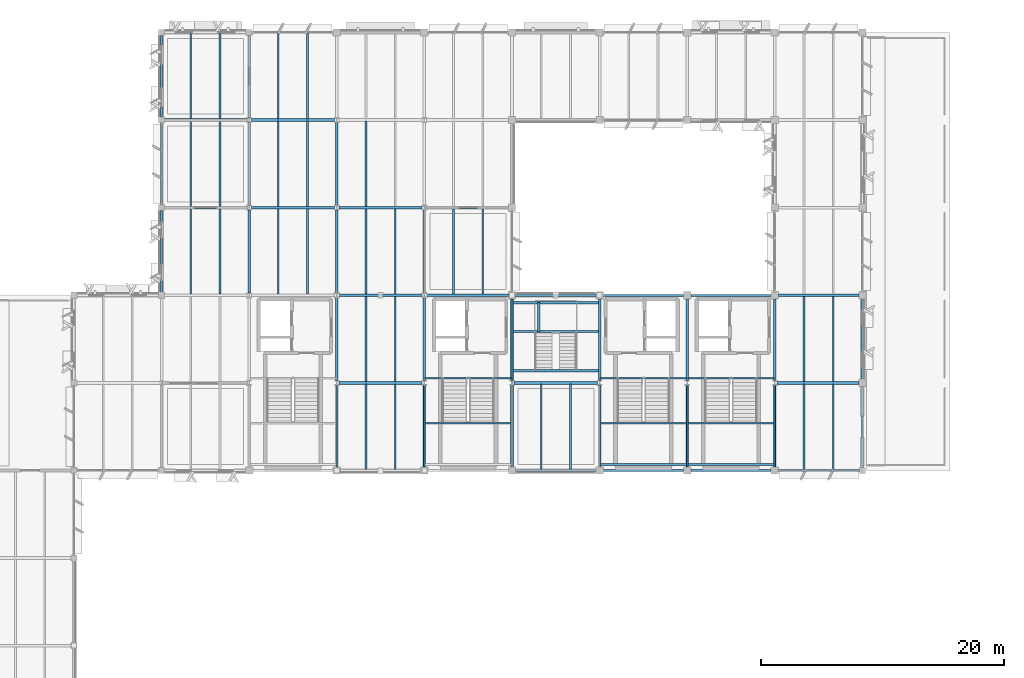
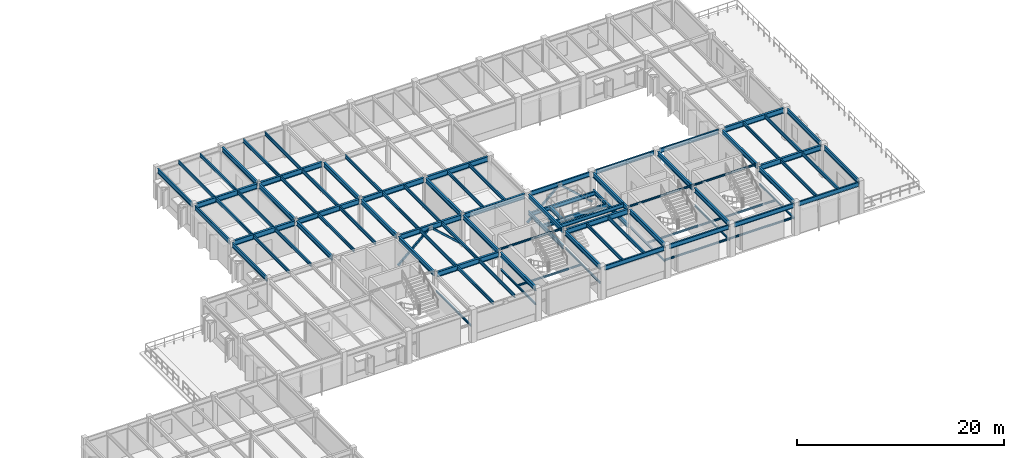
# One storey, part 6 of 35: 88 beams, 4 members.
"""IFC4 building model written with IfcOpenShell, lengths in metres."""

from ifc_helpers import new_model, si_unit, direction, frame, origin, origin_2d, place, context, subcontext, project, spatial, hollow_rectangle, i_section, extrude, material, material_profile, profile_set, type_object, element, save


model = new_model("IFC4")

# Units and contexts
model_context = context("Model", 3, precision=1e-05, world=origin(), true_north=direction((0.0, 1.0)))
body_context = subcontext(model_context, "Body", "Model", "MODEL_VIEW")
ifc_project = project(units=[si_unit("LENGTHUNIT", "METRE"), si_unit("AREAUNIT", "SQUARE_METRE"), si_unit("VOLUMEUNIT", "CUBIC_METRE"), si_unit("PLANEANGLEUNIT", "RADIAN"), si_unit("MASSUNIT", "GRAM", prefix="KILO")], contexts=[model_context])

# Site, building, storey
site_placement = place(None, origin())
site = spatial("IfcSite", under=ifc_project, at=site_placement, CompositionType="ELEMENT")
building_placement = place(site_placement, origin())
building = spatial("IfcBuilding", under=site, at=building_placement, Name="Sillqori Civic Hall", CompositionType="ELEMENT")
storey_placement = place(building_placement, frame((0.0, 0.0, 18.0)))
storey = spatial("IfcBuildingStorey", under=building, at=storey_placement, Name="L05", CompositionType="ELEMENT", Elevation=18.0)

# Beams
ifc_material_1 = material(Name="Steel ASTM A992", Category="steel")
ifc_material_profile_1 = material_profile(ifc_material_1, i_section(OverallWidth=0.19091796875, OverallDepth=0.4599609375, WebThickness=0.010009765625, FlangeThickness=0.01611328125, FilletRadius=0.012939453125, at=origin_2d()), Name="W18X55")
ifc_profile_set_1 = profile_set([ifc_material_profile_1], Name="Steel ASTM A992")
beam_type_1 = type_object("IfcBeamType", Name="BM-W18X55", PredefinedType="BEAM", material=ifc_profile_set_1)
for number, where, z_axis, x_axis, name in (
    (1, (72.0, 86.577880859375, 1.52490234375), (0.0, 1.0, 0.0), (-1.0, 0.0, 0.0), "Mayoral Courtyard Stair L05-L06 landing stringer girder W"),
    (2, (79.199951171875, 86.577880859375, 1.52490234375), (0.0, 1.0, 0.0), (-1.0, 0.0, 0.0), "Mayoral Courtyard Stair L05-L06 landing stringer girder E"),
):
    element("IfcBeam", number, at=place(storey_placement, frame(where, z_axis=z_axis, x_axis=x_axis)), inside=storey, type_object=beam_type_1, Name=name, PredefinedType="BEAM", context=body_context, shape_type="SweptSolid", body=[
        extrude(i_section(OverallWidth=0.19091796875, OverallDepth=0.4599609375, WebThickness=0.010009765625, FlangeThickness=0.01611328125, FilletRadius=0.012939453125, at=origin_2d()), origin(), (0.0, 0.0, 1.0), 6.72802734375),
    ])
for number, where, z_axis, x_axis, name in (
    (3, (72.0400390625, 90.6298828125, 1.52490234375), (1.0, 0.0, 0.0), (0.0, 1.0, 0.0), "Mayoral Courtyard Stair L05-L06 half-landing cross trimmer 1"),
    (4, (72.0400390625, 92.97998046875, 1.52490234375), (1.0, 0.0, 0.0), (0.0, 1.0, 0.0), "Mayoral Courtyard Stair L05-L06 half-landing cross trimmer 2"),
):
    element("IfcBeam", number, at=place(storey_placement, frame(where, z_axis=z_axis, x_axis=x_axis)), inside=storey, type_object=beam_type_1, Name=name, PredefinedType="BEAM", context=body_context, shape_type="SweptSolid", body=[
        extrude(i_section(OverallWidth=0.19091796875, OverallDepth=0.4599609375, WebThickness=0.010009765625, FlangeThickness=0.01611328125, FilletRadius=0.012939453125, at=origin_2d()), origin(), (0.0, 0.0, 1.0), 7.119873046875),
    ])
beam_1_placement = place(storey_placement, frame((74.199951171875, 90.60009765625, 1.52490234375), z_axis=(0.0, 1.0, 0.0), x_axis=(-1.0, 0.0, 0.0)))
element("IfcBeam", 5, at=beam_1_placement, inside=storey, type_object=beam_type_1, Name="Mayoral Courtyard Stair L05-L06 half-landing spine rib", PredefinedType="BEAM", context=body_context, shape_type="SweptSolid", body=[
    extrude(i_section(OverallWidth=0.19091796875, OverallDepth=0.4599609375, WebThickness=0.010009765625, FlangeThickness=0.01611328125, FilletRadius=0.012939453125, at=origin_2d()), origin(), (0.0, 0.0, 1.0), 2.409912109375),
])
beam_2_placement = place(storey_placement, frame((72.0400390625, 87.39990234375, 3.4951171875), z_axis=(1.0, 0.0, 0.0), x_axis=(0.0, 1.0, 0.0)))
element("IfcBeam", 6, at=beam_2_placement, inside=storey, type_object=beam_type_1, Name="Mayoral Courtyard Stair L05-L06 upper arrival trimmer beam", PredefinedType="BEAM", context=body_context, shape_type="SweptSolid", body=[
    extrude(i_section(OverallWidth=0.19091796875, OverallDepth=0.4599609375, WebThickness=0.010009765625, FlangeThickness=0.01611328125, FilletRadius=0.012939453125, at=origin_2d()), origin(), (0.0, 0.0, 1.0), 7.119873046875),
])
ifc_material_profile_2 = material_profile(ifc_material_1, i_section(OverallWidth=0.2099609375, OverallDepth=0.532958984375, WebThickness=0.01025390625, FlangeThickness=0.015625, FilletRadius=0.013916015625, at=origin_2d()), Name="W21X62")
ifc_profile_set_2 = profile_set([ifc_material_profile_2], Name="Steel ASTM A992")
beam_type_2 = type_object("IfcBeamType", Name="BM-W21X62", PredefinedType="BEAM", material=ifc_profile_set_2)
beam_3_placement = place(storey_placement, frame((50.39990234375, 93.778076171875, 3.43359375), z_axis=(0.0, 1.0, 0.0), x_axis=(-1.0, 0.0, 0.0)))
element("IfcBeam", 7, at=beam_3_placement, inside=storey, type_object=beam_type_2, Name="L05 girder Y 7-13", PredefinedType="BEAM", context=body_context, shape_type="SweptSolid", body=[
    extrude(i_section(OverallWidth=0.2099609375, OverallDepth=0.532958984375, WebThickness=0.01025390625, FlangeThickness=0.015625, FilletRadius=0.013916015625, at=origin_2d()), origin(), (0.0, 0.0, 1.0), 6.847412109375),
])
beam_4_placement = place(storey_placement, frame((50.39990234375, 100.974609375, 3.43359375), z_axis=(0.0, 1.0, 0.0), x_axis=(-1.0, 0.0, 0.0)))
element("IfcBeam", 8, at=beam_4_placement, inside=storey, type_object=beam_type_2, Name="L05 girder Y 7-14", PredefinedType="BEAM", context=body_context, shape_type="SweptSolid", body=[
    extrude(i_section(OverallWidth=0.2099609375, OverallDepth=0.532958984375, WebThickness=0.01025390625, FlangeThickness=0.015625, FilletRadius=0.013916015625, at=origin_2d()), origin(), (0.0, 0.0, 1.0), 6.850830078125),
])
beam_5_placement = place(storey_placement, frame((50.39990234375, 108.174560546875, 3.43359375), z_axis=(0.0, 1.0, 0.0), x_axis=(-1.0, 0.0, 0.0)))
element("IfcBeam", 9, at=beam_5_placement, inside=storey, type_object=beam_type_2, Name="L05 girder Y 7-15", PredefinedType="BEAM", context=body_context, shape_type="SweptSolid", body=[
    extrude(i_section(OverallWidth=0.2099609375, OverallDepth=0.532958984375, WebThickness=0.01025390625, FlangeThickness=0.015625, FilletRadius=0.013916015625, at=origin_2d()), origin(), (0.0, 0.0, 1.0), 6.781494140625),
])
beam_6_placement = place(storey_placement, frame((57.60009765625, 86.577880859375, 3.45361328125), z_axis=(0.0, 1.0, 0.0), x_axis=(-1.0, 0.0, 0.0)))
element("IfcBeam", 10, at=beam_6_placement, inside=storey, type_object=beam_type_2, Name="L05 girder Y 8-12", PredefinedType="BEAM", context=body_context, shape_type="SweptSolid", body=[
    extrude(i_section(OverallWidth=0.2099609375, OverallDepth=0.532958984375, WebThickness=0.01025390625, FlangeThickness=0.015625, FilletRadius=0.013916015625, at=origin_2d()), origin(), (0.0, 0.0, 1.0), 6.84423828125),
])
for number, where, z_axis, x_axis, name in (
    (11, (57.60009765625, 93.778076171875, 3.45361328125), (0.0, 1.0, 0.0), (-1.0, 0.0, 0.0), "L05 girder Y 8-13"),
    (12, (57.60009765625, 100.97802734375, 3.45361328125), (0.0, 1.0, 0.0), (-1.0, 0.0, 0.0), "L05 girder Y 8-14"),
):
    element("IfcBeam", number, at=place(storey_placement, frame(where, z_axis=z_axis, x_axis=x_axis)), inside=storey, type_object=beam_type_2, Name=name, PredefinedType="BEAM", context=body_context, shape_type="SweptSolid", body=[
        extrude(i_section(OverallWidth=0.2099609375, OverallDepth=0.532958984375, WebThickness=0.01025390625, FlangeThickness=0.015625, FilletRadius=0.013916015625, at=origin_2d()), origin(), (0.0, 0.0, 1.0), 6.843994140625),
    ])
beam_7_placement = place(storey_placement, frame((64.800048828125, 79.493896484375, 3.45361328125), z_axis=(0.0, 1.0, 0.0), x_axis=(-1.0, 0.0, 0.0)))
element("IfcBeam", 13, at=beam_7_placement, inside=storey, type_object=beam_type_2, Name="L05 girder Y 9-11", PredefinedType="BEAM", context=body_context, shape_type="SweptSolid", body=[
    extrude(i_section(OverallWidth=0.2099609375, OverallDepth=0.532958984375, WebThickness=0.01025390625, FlangeThickness=0.015625, FilletRadius=0.013916015625, at=origin_2d()), origin(), (0.0, 0.0, 1.0), 6.72802734375),
])
beam_8_placement = place(storey_placement, frame((64.800048828125, 86.577880859375, 3.45361328125), z_axis=(0.0, 1.0, 0.0), x_axis=(-1.0, 0.0, 0.0)))
element("IfcBeam", 14, at=beam_8_placement, inside=storey, type_object=beam_type_2, Name="L05 girder Y 9-12", PredefinedType="BEAM", context=body_context, shape_type="SweptSolid", body=[
    extrude(i_section(OverallWidth=0.2099609375, OverallDepth=0.532958984375, WebThickness=0.01025390625, FlangeThickness=0.015625, FilletRadius=0.013916015625, at=origin_2d()), origin(), (0.0, 0.0, 1.0), 6.84423828125),
])
beam_9_placement = place(storey_placement, frame((64.800048828125, 93.778076171875, 3.45361328125), z_axis=(0.0, 1.0, 0.0), x_axis=(-1.0, 0.0, 0.0)))
element("IfcBeam", 15, at=beam_9_placement, inside=storey, type_object=beam_type_2, Name="L05 girder Y 9-13", PredefinedType="BEAM", context=body_context, shape_type="SweptSolid", body=[
    extrude(i_section(OverallWidth=0.2099609375, OverallDepth=0.532958984375, WebThickness=0.01025390625, FlangeThickness=0.015625, FilletRadius=0.013916015625, at=origin_2d()), origin(), (0.0, 0.0, 1.0), 6.843994140625),
])
for number, where, z_axis, x_axis, name in (
    (16, (72.0, 79.493896484375, 3.45361328125), (0.0, 1.0, 0.0), (-1.0, 0.0, 0.0), "L05 girder Y 10-11"),
    (17, (72.0, 86.577880859375, 3.45361328125), (0.0, 1.0, 0.0), (-1.0, 0.0, 0.0), "L05 girder Y 10-12"),
    (18, (79.199951171875, 79.493896484375, 3.45361328125), (0.0, 1.0, 0.0), (-1.0, 0.0, 0.0), "L05 girder Y 11-11"),
    (19, (79.199951171875, 86.577880859375, 3.45361328125), (0.0, 1.0, 0.0), (-1.0, 0.0, 0.0), "L05 girder Y 11-12"),
    (20, (86.39990234375, 79.493896484375, 3.45361328125), (0.0, 1.0, 0.0), (-1.0, 0.0, 0.0), "L05 girder Y 12-11"),
    (21, (86.39990234375, 86.577880859375, 3.45361328125), (0.0, 1.0, 0.0), (-1.0, 0.0, 0.0), "L05 girder Y 12-12"),
    (22, (93.60009765625, 79.493896484375, 3.43359375), (0.0, 1.0, 0.0), (-1.0, 0.0, 0.0), "L05 girder Y 13-11"),
    (23, (93.60009765625, 86.577880859375, 3.45361328125), (0.0, 1.0, 0.0), (-1.0, 0.0, 0.0), "L05 girder Y 13-12"),
):
    element("IfcBeam", number, at=place(storey_placement, frame(where, z_axis=z_axis, x_axis=x_axis)), inside=storey, type_object=beam_type_2, Name=name, PredefinedType="BEAM", context=body_context, shape_type="SweptSolid", body=[
        extrude(i_section(OverallWidth=0.2099609375, OverallDepth=0.532958984375, WebThickness=0.01025390625, FlangeThickness=0.015625, FilletRadius=0.013916015625, at=origin_2d()), origin(), (0.0, 0.0, 1.0), 6.72802734375),
    ])
ifc_material_profile_3 = material_profile(ifc_material_1, i_section(OverallWidth=0.22802734375, OverallDepth=0.60205078125, WebThickness=0.010498046875, FlangeThickness=0.014892578125, FilletRadius=0.014892578125, at=origin_2d()), Name="W24X68")
ifc_profile_set_3 = profile_set([ifc_material_profile_3], Name="Steel ASTM A992")
beam_type_3 = type_object("IfcBeamType", Name="BM-W24X68", PredefinedType="BEAM", material=ifc_profile_set_3)
for number, where, z_axis, x_axis, name in (
    (24, (43.444091796875, 100.800048828125, 3.39892578125), (1.0, 0.0, 0.0), (0.0, 1.0, 0.0), "L05 girder X 6-14"),
    (25, (43.444091796875, 108.0, 3.39892578125), (1.0, 0.0, 0.0), (0.0, 1.0, 0.0), "L05 girder X 6-15"),
):
    element("IfcBeam", number, at=place(storey_placement, frame(where, z_axis=z_axis, x_axis=x_axis)), inside=storey, type_object=beam_type_3, Name=name, PredefinedType="BEAM", context=body_context, shape_type="SweptSolid", body=[
        extrude(i_section(OverallWidth=0.22802734375, OverallDepth=0.60205078125, WebThickness=0.010498046875, FlangeThickness=0.014892578125, FilletRadius=0.014892578125, at=origin_2d()), origin(), (0.0, 0.0, 1.0), 6.7763671875),
    ])
for number, where, z_axis, x_axis, name in (
    (26, (50.57958984375, 100.800048828125, 3.4189453125), (1.0, 0.0, 0.0), (0.0, 1.0, 0.0), "L05 girder X 7-14"),
    (27, (50.57958984375, 108.0, 3.4189453125), (1.0, 0.0, 0.0), (0.0, 1.0, 0.0), "L05 girder X 7-15"),
):
    element("IfcBeam", number, at=place(storey_placement, frame(where, z_axis=z_axis, x_axis=x_axis)), inside=storey, type_object=beam_type_3, Name=name, PredefinedType="BEAM", context=body_context, shape_type="SweptSolid", body=[
        extrude(i_section(OverallWidth=0.22802734375, OverallDepth=0.60205078125, WebThickness=0.010498046875, FlangeThickness=0.014892578125, FilletRadius=0.014892578125, at=origin_2d()), origin(), (0.0, 0.0, 1.0), 6.83984375),
    ])
for number, where, z_axis, x_axis, name in (
    (28, (57.780517578125, 86.39990234375, 3.4189453125), (1.0, 0.0, 0.0), (0.0, 1.0, 0.0), "L05 girder X 8-12"),
    (29, (57.780517578125, 93.60009765625, 3.4189453125), (1.0, 0.0, 0.0), (0.0, 1.0, 0.0), "L05 girder X 8-13"),
    (30, (57.780517578125, 100.800048828125, 3.4189453125), (1.0, 0.0, 0.0), (0.0, 1.0, 0.0), "L05 girder X 8-14"),
):
    element("IfcBeam", number, at=place(storey_placement, frame(where, z_axis=z_axis, x_axis=x_axis)), inside=storey, type_object=beam_type_3, Name=name, PredefinedType="BEAM", context=body_context, shape_type="SweptSolid", body=[
        extrude(i_section(OverallWidth=0.22802734375, OverallDepth=0.60205078125, WebThickness=0.010498046875, FlangeThickness=0.014892578125, FilletRadius=0.014892578125, at=origin_2d()), origin(), (0.0, 0.0, 1.0), 6.8388671875),
    ])
for number, where, z_axis, x_axis, name in (
    (31, (64.98046875, 93.60009765625, 3.4189453125), (1.0, 0.0, 0.0), (0.0, 1.0, 0.0), "L05 girder X 9-13"),
    (32, (64.98046875, 100.800048828125, 3.4189453125), (1.0, 0.0, 0.0), (0.0, 1.0, 0.0), "L05 girder X 9-14"),
):
    element("IfcBeam", number, at=place(storey_placement, frame(where, z_axis=z_axis, x_axis=x_axis)), inside=storey, type_object=beam_type_3, Name=name, PredefinedType="BEAM", context=body_context, shape_type="SweptSolid", body=[
        extrude(i_section(OverallWidth=0.22802734375, OverallDepth=0.60205078125, WebThickness=0.010498046875, FlangeThickness=0.014892578125, FilletRadius=0.014892578125, at=origin_2d()), origin(), (0.0, 0.0, 1.0), 6.7255859375),
    ])
beam_10_placement = place(storey_placement, frame((72.180419921875, 86.39990234375, 3.4189453125), z_axis=(1.0, 0.0, 0.0), x_axis=(0.0, 1.0, 0.0)))
element("IfcBeam", 33, at=beam_10_placement, inside=storey, type_object=beam_type_3, Name="L05 girder X 10-12", PredefinedType="BEAM", context=body_context, shape_type="SweptSolid", body=[
    extrude(i_section(OverallWidth=0.22802734375, OverallDepth=0.60205078125, WebThickness=0.010498046875, FlangeThickness=0.014892578125, FilletRadius=0.014892578125, at=origin_2d()), origin(), (0.0, 0.0, 1.0), 6.839111328125),
])
beam_11_placement = place(storey_placement, frame((93.780517578125, 86.39990234375, 3.39892578125), z_axis=(1.0, 0.0, 0.0), x_axis=(0.0, 1.0, 0.0)))
element("IfcBeam", 34, at=beam_11_placement, inside=storey, type_object=beam_type_3, Name="L05 girder X 13-12", PredefinedType="BEAM", context=body_context, shape_type="SweptSolid", body=[
    extrude(i_section(OverallWidth=0.22802734375, OverallDepth=0.60205078125, WebThickness=0.010498046875, FlangeThickness=0.014892578125, FilletRadius=0.014892578125, at=origin_2d()), origin(), (0.0, 0.0, 1.0), 6.7255859375),
])
beam_12_placement = place(storey_placement, frame((93.89404296875, 93.60009765625, 3.4189453125), z_axis=(1.0, 0.0, 0.0), x_axis=(0.0, 1.0, 0.0)))
element("IfcBeam", 35, at=beam_12_placement, inside=storey, type_object=beam_type_3, Name="L05 girder X 13-13", PredefinedType="BEAM", context=body_context, shape_type="SweptSolid", body=[
    extrude(i_section(OverallWidth=0.22802734375, OverallDepth=0.60205078125, WebThickness=0.010498046875, FlangeThickness=0.014892578125, FilletRadius=0.014892578125, at=origin_2d()), origin(), (0.0, 0.0, 1.0), 6.612060546875),
])

# Members
ifc_material_2 = material(Name="Steel ASTM A500 Grade C", Category="steel")
ifc_material_profile_4 = material_profile(ifc_material_2, hollow_rectangle(XDim=0.199951171875, YDim=0.199951171875, WallThickness=0.010009765625, InnerFilletRadius=0.010009765625, OuterFilletRadius=0.02001953125, at=origin_2d()), Name="HSS200X200X10")
ifc_profile_set_4 = profile_set([ifc_material_profile_4], Name="Steel ASTM A500 Grade C")
member_type = type_object("IfcMemberType", Name="BR-HSS200", PredefinedType="BRACE", material=ifc_profile_set_4)
member_1_placement = place(storey_placement, frame((57.60009765625, 93.60009765625, 0.14990234375), z_axis=(0.742254478498, 0.0, 0.67011811582), x_axis=(0.0, 1.0, 0.0)))
element("IfcMember", 36, at=member_1_placement, inside=storey, type_object=member_type, Name="L05 seismic chevron brace L X13-8", PredefinedType="BRACE", context=body_context, shape_type="SweptSolid", body=[
    extrude(hollow_rectangle(XDim=0.199951171875, YDim=0.199951171875, WallThickness=0.010009765625, InnerFilletRadius=0.010009765625, OuterFilletRadius=0.02001953125, at=origin_2d()), origin(), (0.0, 0.0, 1.0), 4.849853515625),
])
for number, where, z_axis, x_axis, name in (
    (37, (64.800048828125, 93.60009765625, 0.14990234375), (-0.742277082557, 0.0, 0.670093077648), (0.0, -1.0, 0.0), "L05 seismic chevron brace R X13-8"),
    (38, (72.0, 93.60009765625, 0.14990234375), (0.742277082557, 0.0, 0.670093077648), (0.0, 1.0, 0.0), "L05 seismic chevron brace L X13-10"),
):
    element("IfcMember", number, at=place(storey_placement, frame(where, z_axis=z_axis, x_axis=x_axis)), inside=storey, type_object=member_type, Name=name, PredefinedType="BRACE", context=body_context, shape_type="SweptSolid", body=[
        extrude(hollow_rectangle(XDim=0.199951171875, YDim=0.199951171875, WallThickness=0.010009765625, InnerFilletRadius=0.010009765625, OuterFilletRadius=0.02001953125, at=origin_2d()), origin(), (0.0, 0.0, 1.0), 4.85009765625),
    ])
member_2_placement = place(storey_placement, frame((79.199951171875, 93.60009765625, 0.14990234375), z_axis=(-0.742254478498, 0.0, 0.67011811582), x_axis=(0.0, -1.0, 0.0)))
element("IfcMember", 39, at=member_2_placement, inside=storey, type_object=member_type, Name="L05 seismic chevron brace R X13-10", PredefinedType="BRACE", context=body_context, shape_type="SweptSolid", body=[
    extrude(hollow_rectangle(XDim=0.199951171875, YDim=0.199951171875, WallThickness=0.010009765625, InnerFilletRadius=0.010009765625, OuterFilletRadius=0.02001953125, at=origin_2d()), origin(), (0.0, 0.0, 1.0), 4.849853515625),
])

# Beams
ifc_material_profile_5 = material_profile(ifc_material_1, i_section(OverallWidth=0.139892578125, OverallDepth=0.39892578125, WebThickness=0.00634765625, FlangeThickness=0.0087890625, FilletRadius=0.011962890625, at=origin_2d()), Name="W16X26")
ifc_profile_set_5 = profile_set([ifc_material_profile_5], Name="Steel ASTM A992")
beam_type_4 = type_object("IfcBeamType", Name="JS-W16X26", PredefinedType="JOIST", material=ifc_profile_set_5)
for number, where, z_axis, x_axis, name in (
    (40, (45.60009765625, 93.695068359375, 3.50048828125), (0.0, 1.0, 0.0), (-1.0, 0.0, 0.0), "L05 composite joist 6-13.1"),
    (41, (48.0, 93.695068359375, 3.50048828125), (0.0, 1.0, 0.0), (-1.0, 0.0, 0.0), "L05 composite joist 6-13.2"),
    (42, (45.60009765625, 100.89501953125, 3.50048828125), (0.0, 1.0, 0.0), (-1.0, 0.0, 0.0), "L05 composite joist 6-14.1"),
    (43, (48.0, 100.89501953125, 3.50048828125), (0.0, 1.0, 0.0), (-1.0, 0.0, 0.0), "L05 composite joist 6-14.2"),
    (44, (45.60009765625, 108.094970703125, 3.50048828125), (0.0, 1.0, 0.0), (-1.0, 0.0, 0.0), "L05 composite joist 6-15.1"),
    (45, (48.0, 108.094970703125, 3.50048828125), (0.0, 1.0, 0.0), (-1.0, 0.0, 0.0), "L05 composite joist 6-15.2"),
    (46, (52.800048828125, 93.695068359375, 3.5205078125), (0.0, 1.0, 0.0), (-1.0, 0.0, 0.0), "L05 composite joist 7-13.1"),
    (47, (55.199951171875, 93.695068359375, 3.5205078125), (0.0, 1.0, 0.0), (-1.0, 0.0, 0.0), "L05 composite joist 7-13.2"),
    (48, (52.800048828125, 100.89501953125, 3.5205078125), (0.0, 1.0, 0.0), (-1.0, 0.0, 0.0), "L05 composite joist 7-14.1"),
    (49, (55.199951171875, 100.89501953125, 3.5205078125), (0.0, 1.0, 0.0), (-1.0, 0.0, 0.0), "L05 composite joist 7-14.2"),
    (50, (52.800048828125, 108.094970703125, 3.5205078125), (0.0, 1.0, 0.0), (-1.0, 0.0, 0.0), "L05 composite joist 7-15.1"),
    (51, (55.199951171875, 108.094970703125, 3.5205078125), (0.0, 1.0, 0.0), (-1.0, 0.0, 0.0), "L05 composite joist 7-15.2"),
    (52, (60.0, 79.294921875, 3.5205078125), (0.0, 1.0, 0.0), (-1.0, 0.0, 0.0), "L05 composite joist 8-11.1"),
    (53, (62.39990234375, 79.294921875, 3.5205078125), (0.0, 1.0, 0.0), (-1.0, 0.0, 0.0), "L05 composite joist 8-11.2"),
):
    element("IfcBeam", number, at=place(storey_placement, frame(where, z_axis=z_axis, x_axis=x_axis)), inside=storey, type_object=beam_type_4, Name=name, PredefinedType="JOIST", context=body_context, shape_type="SweptSolid", body=[
        extrude(i_section(OverallWidth=0.139892578125, OverallDepth=0.39892578125, WebThickness=0.00634765625, FlangeThickness=0.0087890625, FilletRadius=0.011962890625, at=origin_2d()), origin(), (0.0, 0.0, 1.0), 7.010009765625),
    ])
for number, where, z_axis, x_axis, name in (
    (54, (60.0, 86.4951171875, 3.5205078125), (0.0, 1.0, 0.0), (-1.0, 0.0, 0.0), "L05 composite joist 8-12.1"),
    (55, (62.39990234375, 86.4951171875, 3.5205078125), (0.0, 1.0, 0.0), (-1.0, 0.0, 0.0), "L05 composite joist 8-12.2"),
):
    element("IfcBeam", number, at=place(storey_placement, frame(where, z_axis=z_axis, x_axis=x_axis)), inside=storey, type_object=beam_type_4, Name=name, PredefinedType="JOIST", context=body_context, shape_type="SweptSolid", body=[
        extrude(i_section(OverallWidth=0.139892578125, OverallDepth=0.39892578125, WebThickness=0.00634765625, FlangeThickness=0.0087890625, FilletRadius=0.011962890625, at=origin_2d()), origin(), (0.0, 0.0, 1.0), 7.009765625),
    ])
for number, where, z_axis, x_axis, name in (
    (56, (60.0, 93.695068359375, 3.5205078125), (0.0, 1.0, 0.0), (-1.0, 0.0, 0.0), "L05 composite joist 8-13.1"),
    (57, (62.39990234375, 93.695068359375, 3.5205078125), (0.0, 1.0, 0.0), (-1.0, 0.0, 0.0), "L05 composite joist 8-13.2"),
    (58, (60.0, 100.89501953125, 3.5205078125), (0.0, 1.0, 0.0), (-1.0, 0.0, 0.0), "L05 composite joist 8-14.1"),
    (59, (67.199951171875, 93.695068359375, 3.5205078125), (0.0, 1.0, 0.0), (-1.0, 0.0, 0.0), "L05 composite joist 9-13.1"),
    (60, (69.60009765625, 93.695068359375, 3.5205078125), (0.0, 1.0, 0.0), (-1.0, 0.0, 0.0), "L05 composite joist 9-13.2"),
    (61, (74.39990234375, 79.294921875, 3.5205078125), (0.0, 1.0, 0.0), (-1.0, 0.0, 0.0), "L05 composite joist 10-11.1"),
    (62, (76.800048828125, 79.294921875, 3.5205078125), (0.0, 1.0, 0.0), (-1.0, 0.0, 0.0), "L05 composite joist 10-11.2"),
    (63, (96.0, 79.294921875, 3.50048828125), (0.0, 1.0, 0.0), (-1.0, 0.0, 0.0), "L05 composite joist 13-11.1"),
    (64, (98.39990234375, 79.294921875, 3.50048828125), (0.0, 1.0, 0.0), (-1.0, 0.0, 0.0), "L05 composite joist 13-11.2"),
):
    element("IfcBeam", number, at=place(storey_placement, frame(where, z_axis=z_axis, x_axis=x_axis)), inside=storey, type_object=beam_type_4, Name=name, PredefinedType="JOIST", context=body_context, shape_type="SweptSolid", body=[
        extrude(i_section(OverallWidth=0.139892578125, OverallDepth=0.39892578125, WebThickness=0.00634765625, FlangeThickness=0.0087890625, FilletRadius=0.011962890625, at=origin_2d()), origin(), (0.0, 0.0, 1.0), 7.010009765625),
    ])
for number, where, z_axis, x_axis, name in (
    (65, (96.0, 86.4951171875, 3.5205078125), (0.0, 1.0, 0.0), (-1.0, 0.0, 0.0), "L05 composite joist 13-12.1"),
    (66, (98.39990234375, 86.4951171875, 3.5205078125), (0.0, 1.0, 0.0), (-1.0, 0.0, 0.0), "L05 composite joist 13-12.2"),
):
    element("IfcBeam", number, at=place(storey_placement, frame(where, z_axis=z_axis, x_axis=x_axis)), inside=storey, type_object=beam_type_4, Name=name, PredefinedType="JOIST", context=body_context, shape_type="SweptSolid", body=[
        extrude(i_section(OverallWidth=0.139892578125, OverallDepth=0.39892578125, WebThickness=0.00634765625, FlangeThickness=0.0087890625, FilletRadius=0.011962890625, at=origin_2d()), origin(), (0.0, 0.0, 1.0), 7.009765625),
    ])
ifc_material_profile_6 = material_profile(ifc_material_1, i_section(OverallWidth=0.133056640625, OverallDepth=0.20703125, WebThickness=0.005859375, FlangeThickness=0.00830078125, FilletRadius=0.008056640625, at=origin_2d()), Name="W8X18")
ifc_profile_set_6 = profile_set([ifc_material_profile_6], Name="Steel ASTM A992")
beam_type_5 = type_object("IfcBeamType", Name="LN-W8X18", PredefinedType="LINTEL", material=ifc_profile_set_6)
for number, where, z_axis, x_axis, name in (
    (67, (57.60009765625, 79.493896484375, 1.632568359375), (0.0, 1.0, 0.0), (-1.0, 0.0, 0.0), "L05 grid 8 stair landing stringer 1"),
    (68, (64.800048828125, 79.493896484375, 1.632568359375), (0.0, 1.0, 0.0), (-1.0, 0.0, 0.0), "L05 grid 9 stair landing stringer 1"),
    (69, (72.0, 79.493896484375, 1.632568359375), (0.0, 1.0, 0.0), (-1.0, 0.0, 0.0), "L05 grid 10 stair landing stringer 1"),
):
    element("IfcBeam", number, at=place(storey_placement, frame(where, z_axis=z_axis, x_axis=x_axis)), inside=storey, type_object=beam_type_5, Name=name, PredefinedType="LINTEL", context=body_context, shape_type="SweptSolid", body=[
        extrude(i_section(OverallWidth=0.133056640625, OverallDepth=0.20703125, WebThickness=0.005859375, FlangeThickness=0.00830078125, FilletRadius=0.008056640625, at=origin_2d()), origin(), (0.0, 0.0, 1.0), 6.72802734375),
    ])
for number, where, z_axis, x_axis, name in (
    (70, (64.85009765625, 83.070068359375, 1.632568359375), (1.0, 0.0, 0.0), (0.0, 1.0, 0.0), "L05 C6 stair half-landing steel ledger 1.2"),
    (71, (64.85009765625, 86.77001953125, 3.62255859375), (1.0, 0.0, 0.0), (0.0, 1.0, 0.0), "L05 C6 stair upper arrival steel trimmer"),
):
    element("IfcBeam", number, at=place(storey_placement, frame(where, z_axis=z_axis, x_axis=x_axis)), inside=storey, type_object=beam_type_5, Name=name, PredefinedType="LINTEL", context=body_context, shape_type="SweptSolid", body=[
        extrude(i_section(OverallWidth=0.133056640625, OverallDepth=0.20703125, WebThickness=0.005859375, FlangeThickness=0.00830078125, FilletRadius=0.008056640625, at=origin_2d()), origin(), (0.0, 0.0, 1.0), 7.099853515625),
    ])
for number, where, z_axis, x_axis, name in (
    (72, (79.199951171875, 79.493896484375, 1.632568359375), (0.0, 1.0, 0.0), (-1.0, 0.0, 0.0), "L05 grid 11 stair landing stringer 1"),
    (73, (86.39990234375, 79.493896484375, 1.632568359375), (0.0, 1.0, 0.0), (-1.0, 0.0, 0.0), "L05 grid 12 stair landing stringer 1"),
):
    element("IfcBeam", number, at=place(storey_placement, frame(where, z_axis=z_axis, x_axis=x_axis)), inside=storey, type_object=beam_type_5, Name=name, PredefinedType="LINTEL", context=body_context, shape_type="SweptSolid", body=[
        extrude(i_section(OverallWidth=0.133056640625, OverallDepth=0.20703125, WebThickness=0.005859375, FlangeThickness=0.00830078125, FilletRadius=0.008056640625, at=origin_2d()), origin(), (0.0, 0.0, 1.0), 6.72802734375),
    ])
for number, where, z_axis, x_axis, name in (
    (74, (79.25, 79.695068359375, 1.632568359375), (1.0, 0.0, 0.0), (0.0, 1.0, 0.0), "L05 C7 stair half-landing steel ledger 1.1"),
    (75, (79.25, 83.070068359375, 1.632568359375), (1.0, 0.0, 0.0), (0.0, 1.0, 0.0), "L05 C7 stair half-landing steel ledger 1.2"),
    (76, (79.25, 86.77001953125, 3.62255859375), (1.0, 0.0, 0.0), (0.0, 1.0, 0.0), "L05 C7 stair upper arrival steel trimmer"),
):
    element("IfcBeam", number, at=place(storey_placement, frame(where, z_axis=z_axis, x_axis=x_axis)), inside=storey, type_object=beam_type_5, Name=name, PredefinedType="LINTEL", context=body_context, shape_type="SweptSolid", body=[
        extrude(i_section(OverallWidth=0.133056640625, OverallDepth=0.20703125, WebThickness=0.005859375, FlangeThickness=0.00830078125, FilletRadius=0.008056640625, at=origin_2d()), origin(), (0.0, 0.0, 1.0), 7.10009765625),
    ])
beam_13_placement = place(storey_placement, frame((93.60009765625, 79.493896484375, 1.632568359375), z_axis=(0.0, 1.0, 0.0), x_axis=(-1.0, 0.0, 0.0)))
element("IfcBeam", 77, at=beam_13_placement, inside=storey, type_object=beam_type_5, Name="L05 grid 13 stair landing stringer 1", PredefinedType="LINTEL", context=body_context, shape_type="SweptSolid", body=[
    extrude(i_section(OverallWidth=0.133056640625, OverallDepth=0.20703125, WebThickness=0.005859375, FlangeThickness=0.00830078125, FilletRadius=0.008056640625, at=origin_2d()), origin(), (0.0, 0.0, 1.0), 6.72802734375),
])
for number, where, z_axis, x_axis, name in (
    (78, (86.449951171875, 79.695068359375, 1.632568359375), (1.0, 0.0, 0.0), (0.0, 1.0, 0.0), "L05 C8 stair half-landing steel ledger 1.1"),
    (79, (86.449951171875, 83.070068359375, 1.632568359375), (1.0, 0.0, 0.0), (0.0, 1.0, 0.0), "L05 C8 stair half-landing steel ledger 1.2"),
    (80, (86.449951171875, 86.77001953125, 3.62255859375), (1.0, 0.0, 0.0), (0.0, 1.0, 0.0), "L05 C8 stair upper arrival steel trimmer"),
):
    element("IfcBeam", number, at=place(storey_placement, frame(where, z_axis=z_axis, x_axis=x_axis)), inside=storey, type_object=beam_type_5, Name=name, PredefinedType="LINTEL", context=body_context, shape_type="SweptSolid", body=[
        extrude(i_section(OverallWidth=0.133056640625, OverallDepth=0.20703125, WebThickness=0.005859375, FlangeThickness=0.00830078125, FilletRadius=0.008056640625, at=origin_2d()), origin(), (0.0, 0.0, 1.0), 7.10009765625),
    ])
ifc_material_profile_7 = material_profile(ifc_material_1, i_section(OverallWidth=0.166015625, OverallDepth=0.528076171875, WebThickness=0.009765625, FlangeThickness=0.013671875, FilletRadius=0.013916015625, at=origin_2d()), Name="W21X50")
ifc_profile_set_7 = profile_set([ifc_material_profile_7], Name="Steel ASTM A992")
beam_type_6 = type_object("IfcBeamType", Name="SP-W21X50", PredefinedType="SPANDREL", material=ifc_profile_set_7)
for number, where, z_axis, x_axis, name in (
    (81, (72.2939453125, 79.199951171875, 3.4560546875), (1.0, 0.0, 0.0), (0.0, 1.0, 0.0), "L05 girder X 10-11"),
    (82, (72.2939453125, 93.60009765625, 3.4560546875), (1.0, 0.0, 0.0), (0.0, 1.0, 0.0), "L05 girder X 10-13"),
    (83, (79.493896484375, 79.199951171875, 3.4560546875), (1.0, 0.0, 0.0), (0.0, 1.0, 0.0), "L05 girder X 11-11"),
    (84, (79.493896484375, 93.60009765625, 3.4560546875), (1.0, 0.0, 0.0), (0.0, 1.0, 0.0), "L05 girder X 11-13"),
):
    element("IfcBeam", number, at=place(storey_placement, frame(where, z_axis=z_axis, x_axis=x_axis)), inside=storey, type_object=beam_type_6, Name=name, PredefinedType="SPANDREL", context=body_context, shape_type="SweptSolid", body=[
        extrude(i_section(OverallWidth=0.166015625, OverallDepth=0.528076171875, WebThickness=0.009765625, FlangeThickness=0.013671875, FilletRadius=0.013916015625, at=origin_2d()), origin(), (0.0, 0.0, 1.0), 6.612060546875),
    ])
for number, where, z_axis, x_axis, name in (
    (85, (86.694091796875, 79.199951171875, 3.4560546875), (1.0, 0.0, 0.0), (0.0, 1.0, 0.0), "L05 girder X 12-11"),
    (86, (86.694091796875, 93.60009765625, 3.4560546875), (1.0, 0.0, 0.0), (0.0, 1.0, 0.0), "L05 girder X 12-13"),
):
    element("IfcBeam", number, at=place(storey_placement, frame(where, z_axis=z_axis, x_axis=x_axis)), inside=storey, type_object=beam_type_6, Name=name, PredefinedType="SPANDREL", context=body_context, shape_type="SweptSolid", body=[
        extrude(i_section(OverallWidth=0.166015625, OverallDepth=0.528076171875, WebThickness=0.009765625, FlangeThickness=0.013671875, FilletRadius=0.013916015625, at=origin_2d()), origin(), (0.0, 0.0, 1.0), 6.61181640625),
    ])
beam_14_placement = place(storey_placement, frame((93.89404296875, 79.199951171875, 3.43603515625), z_axis=(1.0, 0.0, 0.0), x_axis=(0.0, 1.0, 0.0)))
element("IfcBeam", 87, at=beam_14_placement, inside=storey, type_object=beam_type_6, Name="L05 girder X 13-11", PredefinedType="SPANDREL", context=body_context, shape_type="SweptSolid", body=[
    extrude(i_section(OverallWidth=0.166015625, OverallDepth=0.528076171875, WebThickness=0.009765625, FlangeThickness=0.013671875, FilletRadius=0.013916015625, at=origin_2d()), origin(), (0.0, 0.0, 1.0), 6.661865234375),
])
beam_15_placement = place(storey_placement, frame((43.199951171875, 93.843994140625, 3.43603515625), z_axis=(0.0, 1.0, 0.0), x_axis=(-1.0, 0.0, 0.0)))
element("IfcBeam", 88, at=beam_15_placement, inside=storey, type_object=beam_type_6, Name="L05 girder Y 6-13", PredefinedType="SPANDREL", context=body_context, shape_type="SweptSolid", body=[
    extrude(i_section(OverallWidth=0.166015625, OverallDepth=0.528076171875, WebThickness=0.009765625, FlangeThickness=0.013671875, FilletRadius=0.013916015625, at=origin_2d()), origin(), (0.0, 0.0, 1.0), 6.7119140625),
])
for number, where, z_axis, x_axis, name in (
    (89, (43.199951171875, 101.0439453125, 3.43603515625), (0.0, 1.0, 0.0), (-1.0, 0.0, 0.0), "L05 girder Y 6-14"),
    (90, (43.199951171875, 108.243896484375, 3.43603515625), (0.0, 1.0, 0.0), (-1.0, 0.0, 0.0), "L05 girder Y 6-15"),
):
    element("IfcBeam", number, at=place(storey_placement, frame(where, z_axis=z_axis, x_axis=x_axis)), inside=storey, type_object=beam_type_6, Name=name, PredefinedType="SPANDREL", context=body_context, shape_type="SweptSolid", body=[
        extrude(i_section(OverallWidth=0.166015625, OverallDepth=0.528076171875, WebThickness=0.009765625, FlangeThickness=0.013671875, FilletRadius=0.013916015625, at=origin_2d()), origin(), (0.0, 0.0, 1.0), 6.712158203125),
    ])
beam_16_placement = place(storey_placement, frame((100.800048828125, 79.444091796875, 3.43603515625), z_axis=(0.0, 1.0, 0.0), x_axis=(-1.0, 0.0, 0.0)))
element("IfcBeam", 91, at=beam_16_placement, inside=storey, type_object=beam_type_6, Name="L05 girder Y 14-11", PredefinedType="SPANDREL", context=body_context, shape_type="SweptSolid", body=[
    extrude(i_section(OverallWidth=0.166015625, OverallDepth=0.528076171875, WebThickness=0.009765625, FlangeThickness=0.013671875, FilletRadius=0.013916015625, at=origin_2d()), origin(), (0.0, 0.0, 1.0), 6.661865234375),
])
beam_17_placement = place(storey_placement, frame((100.800048828125, 86.694091796875, 3.4560546875), z_axis=(0.0, 1.0, 0.0), x_axis=(-1.0, 0.0, 0.0)))
element("IfcBeam", 92, at=beam_17_placement, inside=storey, type_object=beam_type_6, Name="L05 girder Y 14-12", PredefinedType="SPANDREL", context=body_context, shape_type="SweptSolid", body=[
    extrude(i_section(OverallWidth=0.166015625, OverallDepth=0.528076171875, WebThickness=0.009765625, FlangeThickness=0.013671875, FilletRadius=0.013916015625, at=origin_2d()), origin(), (0.0, 0.0, 1.0), 6.61181640625),
])

save(model, "model.ifc")
